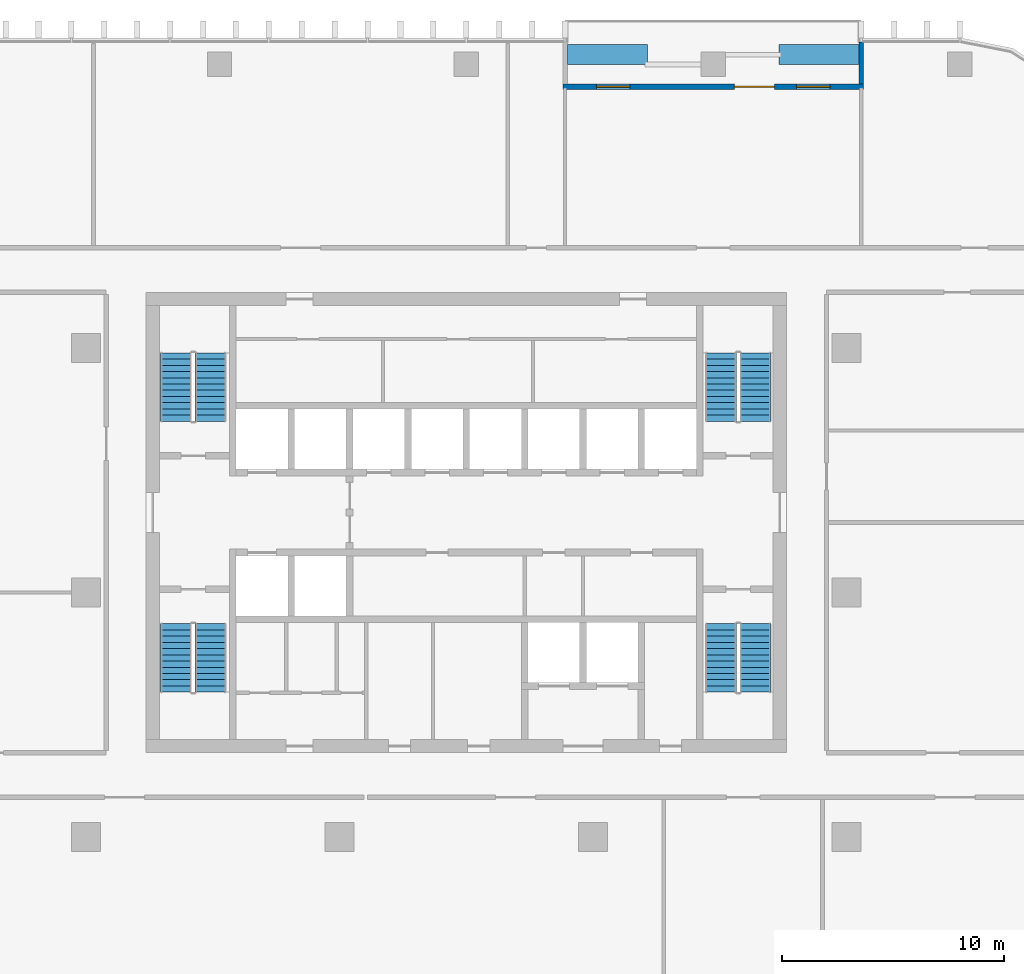
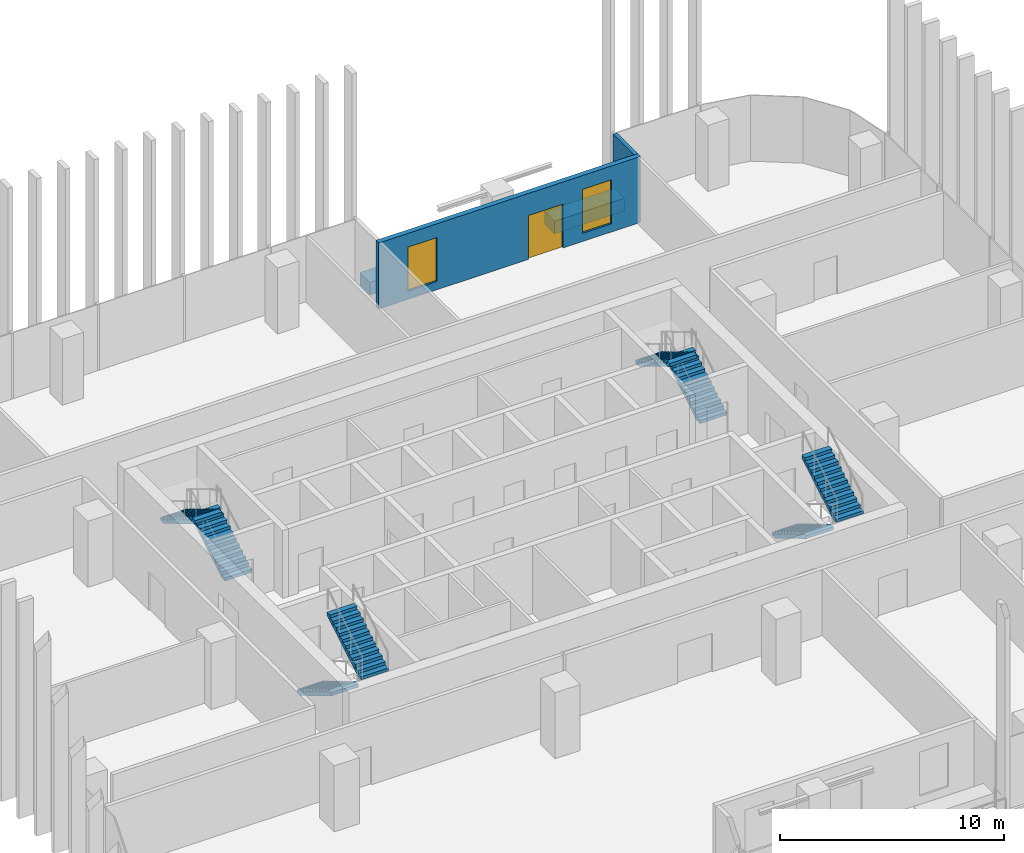
# One storey, part 10 of 16: 8 stair flights, 4 walls, 2 windows, 1 door, 3 openings, 4 elements without a shape of their own.
"""IFC4 building model written with IfcOpenShell, lengths in metres."""

import ifcopenshell
import ifcopenshell.guid

model = None  # the IFC model being written
_history = None  # IfcOwnerHistory: only IFC2X3 demands one
_inside = {}  # id of a spatial element -> (the spatial element, [elements in it])
_under = {}  # id of a project, library or spatial element -> (it, [spatial elements below it])
_declared = {}  # id of a project -> (the project, [libraries it declares])
_typed = {}  # id of a type object -> (the type object, [elements of that type])
_made_of = {}  # id of a material, layer set ... -> (it, [elements and type objects made of it])


def new_model(schema):
    """Start an empty IFC model of exactly this schema.

    Asked for "IFC4X3", IfcOpenShell would pick the latest addendum, in which some entities
    have other attributes; the version numbers below select the first issue.
    IFC2X3 requires an IfcOwnerHistory on every rooted entity: one is made here for all.
    """
    global model, _history
    if schema == "IFC4X3":
        model = ifcopenshell.file(schema_version=(4, 3, 0, 0))
    else:
        model = ifcopenshell.file(schema=schema)
    _inside.clear()
    _under.clear()
    _declared.clear()
    _typed.clear()
    _made_of.clear()
    _history = None
    if model.schema == "IFC2X3":
        org = make("IfcOrganization", Name="unknown")
        user = make(
            "IfcPersonAndOrganization",
            ThePerson=make("IfcPerson", FamilyName="unknown"),
            TheOrganization=org,
        )
        app = make(
            "IfcApplication",
            ApplicationDeveloper=org,
            Version="unknown",
            ApplicationFullName="unknown",
            ApplicationIdentifier="unknown",
        )
        _history = make(
            "IfcOwnerHistory",
            OwningUser=user,
            OwningApplication=app,
            ChangeAction="ADDED",
            CreationDate=0,
        )
    return model


def make(cls, **values):
    """One entity of the class cls with the attributes given. An attribute that is None is left unset."""
    return model.create_entity(
        cls, **{name: value for name, value in values.items() if value is not None}
    )


def rooted(cls, **values):
    """An entity with a GlobalId (a new one), such as an element, a storey or a relation."""
    return make(cls, GlobalId=ifcopenshell.guid.new(), OwnerHistory=_history, **values)


def si_unit(unit_type, name, prefix=None):
    """IfcSIUnit, for example si_unit("LENGTHUNIT", "METRE", prefix="MILLI")."""
    return make("IfcSIUnit", UnitType=unit_type, Prefix=prefix, Name=name)


def assignment(units):
    """IfcUnitAssignment: the units of a project."""
    return None if units is None else make("IfcUnitAssignment", Units=units)


def point(xyz):
    """IfcCartesianPoint."""
    return None if xyz is None else make("IfcCartesianPoint", Coordinates=xyz)


def direction(xyz):
    """IfcDirection."""
    return None if xyz is None else make("IfcDirection", DirectionRatios=xyz)


def frame(location, z_axis=None, x_axis=None):
    """IfcAxis2Placement3D, a coordinate frame: its origin and axes. An axis left out is left unset."""
    return make(
        "IfcAxis2Placement3D",
        Location=point(location),
        Axis=direction(z_axis),
        RefDirection=direction(x_axis),
    )


def frame_2d(location, x_axis=None):
    """IfcAxis2Placement2D, a coordinate frame in the plane: its origin and x axis."""
    return make(
        "IfcAxis2Placement2D", Location=point(location), RefDirection=direction(x_axis)
    )


def origin():
    """The frame at (0, 0, 0) with its axes left unset."""
    return frame((0.0, 0.0, 0.0))


def place(relative_to, where):
    """IfcLocalPlacement: puts the frame where relative to a parent placement (None: the world)."""
    return make(
        "IfcLocalPlacement", PlacementRelTo=relative_to, RelativePlacement=where
    )


def context(
    kind, dimensions, precision=None, world=None, true_north=None, identifier=None
):
    """IfcGeometricRepresentationContext, for example the 3D "Model" context."""
    return make(
        "IfcGeometricRepresentationContext",
        ContextIdentifier=identifier,
        ContextType=kind,
        CoordinateSpaceDimension=dimensions,
        Precision=precision,
        WorldCoordinateSystem=world,
        TrueNorth=true_north,
    )


def subcontext(parent, identifier, kind, view, scale=None):
    """IfcGeometricRepresentationSubContext, for example "Body" below "Model"."""
    return make(
        "IfcGeometricRepresentationSubContext",
        ContextIdentifier=identifier,
        ContextType=kind,
        ParentContext=parent,
        TargetScale=scale,
        TargetView=view,
    )


def project(units=None, contexts=None):
    """IfcProject with its units and contexts."""
    return rooted(
        "IfcProject",
        Name="project",
        RepresentationContexts=contexts,
        UnitsInContext=assignment(units),
    )


def spatial(cls, under=None, at=None, **own):
    """A site, building, storey or space (cls), placed at a placement, below another one or the project."""
    s = rooted(cls, ObjectPlacement=at, **own)
    if under is not None:
        _under.setdefault(under.id(), (under, []))[1].append(s)
    return s


def polyline(points):
    """IfcPolyline through the points."""
    return make("IfcPolyline", Points=[point(p) for p in points])


def profile(cls, at=None, kind="AREA", **sizes):
    """A parametric profile (cls). Its sizes go by their IFC names, for example OverallWidth=200.0."""
    return make(cls, ProfileType=kind, Position=at, **sizes)


def rectangle(**sizes):
    """IfcRectangleProfileDef."""
    return profile("IfcRectangleProfileDef", **sizes)


def outline(outer, holes=None, kind="AREA"):
    """IfcArbitraryClosedProfileDef: a profile drawn as a closed curve; with holes, ...WithVoids."""
    if holes is None:
        return make("IfcArbitraryClosedProfileDef", ProfileType=kind, OuterCurve=outer)
    return make(
        "IfcArbitraryProfileDefWithVoids",
        ProfileType=kind,
        OuterCurve=outer,
        InnerCurves=holes,
    )


def extrude(swept, where, along, depth):
    """IfcExtrudedAreaSolid: the profile swept, set in the frame where, extruded along a direction by depth."""
    return make(
        "IfcExtrudedAreaSolid",
        SweptArea=swept,
        Position=where,
        ExtrudedDirection=direction(along),
        Depth=depth,
    )


def shape(context_of_items, identifier, shape_type, items):
    """IfcShapeRepresentation: the items that make up one representation, for example the "Body"."""
    return make(
        "IfcShapeRepresentation",
        ContextOfItems=context_of_items,
        RepresentationIdentifier=identifier,
        RepresentationType=shape_type,
        Items=items,
    )


def material(Name=None, Category=None):
    """IfcMaterial."""
    return make("IfcMaterial", Name=Name, Category=Category)


def layer(
    of_material, thickness, ventilated=None, Name=None, Category=None, Priority=None
):
    """IfcMaterialLayer: one layer of a wall or slab, of a material (None: an air gap)."""
    return make(
        "IfcMaterialLayer",
        Material=of_material,
        LayerThickness=thickness,
        IsVentilated=ventilated,
        Name=Name,
        Category=Category,
        Priority=Priority,
    )


def layer_set(layers, Name=None):
    """IfcMaterialLayerSet."""
    return make("IfcMaterialLayerSet", MaterialLayers=layers, LayerSetName=Name)


def made_of(thing, what):
    """Note that an element or type object is made of a material, layer set ...; save() writes the relation."""
    if what is not None:
        _made_of.setdefault(what.id(), (what, []))[1].append(thing)
    return thing


def type_object(cls, material=None, **own):
    """A type object (cls), such as IfcWallType, which elements share."""
    return made_of(rooted(cls, **own), material)


def element(
    cls,
    number,
    at=None,
    inside=None,
    cuts=None,
    type_object=None,
    material=None,
    context=None,
    identifier="Body",
    shape_type=None,
    held_by="IfcProductDefinitionShape",
    body=None,
    shapes=None,
    **own,
):
    """One element of the class cls, such as IfcWall. Its Tag is "e" and its number.

    at: its placement. inside: the storey or other place that contains it. cuts: it is an
    opening in that element (IfcRelVoidsElement). A single representation is given by context,
    identifier, shape_type and body (its items); several are given by shapes. held_by: the class
    of the entity that holds the representations. save() writes the other relations.
    """
    e = rooted(cls, Tag="e%d" % number, ObjectPlacement=at, **own)
    if body is not None:
        shapes = [shape(context, identifier, shape_type, body)]
    if shapes is not None:
        e.Representation = make(held_by, Representations=shapes)
    if inside is not None:
        _inside.setdefault(inside.id(), (inside, []))[1].append(e)
    if cuts is not None:
        rooted(
            "IfcRelVoidsElement", RelatingBuildingElement=cuts, RelatedOpeningElement=e
        )
    if type_object is not None:
        _typed.setdefault(type_object.id(), (type_object, []))[1].append(e)
    return made_of(e, material)


def fill(opening, filler):
    """IfcRelFillsElement: the door or window that sits in an opening."""
    return rooted(
        "IfcRelFillsElement",
        RelatingOpeningElement=opening,
        RelatedBuildingElement=filler,
    )


def aggregate(whole, parts):
    """IfcRelAggregates: a whole, such as a stair, and the parts it consists of."""
    return rooted("IfcRelAggregates", RelatingObject=whole, RelatedObjects=parts)


def save(model, path):
    """Write the relations noted so far, then the file.

    IfcRelAggregates (storeys below a building ...), IfcRelContainedInSpatialStructure (elements
    in a storey), IfcRelDefinesByType, IfcRelAssociatesMaterial and IfcRelDeclares: one each for
    every whole, place, type object, material and project.
    """
    for whole, parts in _under.values():
        aggregate(whole, parts)
    for where, things in _inside.values():
        rooted(
            "IfcRelContainedInSpatialStructure",
            RelatedElements=things,
            RelatingStructure=where,
        )
    for kind, things in _typed.values():
        rooted("IfcRelDefinesByType", RelatedObjects=things, RelatingType=kind)
    for what, things in _made_of.values():
        rooted("IfcRelAssociatesMaterial", RelatedObjects=things, RelatingMaterial=what)
    for by, libraries in _declared.values():
        rooted("IfcRelDeclares", RelatingContext=by, RelatedDefinitions=libraries)
    model.write(path)


model = new_model("IFC4")

# Units and contexts
model_context = context("Model", 3, precision=1e-05, world=origin(), true_north=direction((0.0, 1.0)))
body_context = subcontext(model_context, "Body", "Model", "MODEL_VIEW")
ifc_project = project(units=[si_unit("LENGTHUNIT", "METRE"), si_unit("AREAUNIT", "SQUARE_METRE"), si_unit("VOLUMEUNIT", "CUBIC_METRE"), si_unit("PLANEANGLEUNIT", "RADIAN"), si_unit("MASSUNIT", "GRAM", prefix="KILO")], contexts=[model_context])

# Site, building, storey
site_placement = place(None, origin())
site = spatial("IfcSite", under=ifc_project, at=site_placement, CompositionType="ELEMENT")
building_placement = place(site_placement, origin())
building = spatial("IfcBuilding", under=site, at=building_placement, Name="Mopane Tessera Tower", CompositionType="ELEMENT")
storey_placement = place(building_placement, frame((0.0, 0.0, 247.0)))
storey = spatial("IfcBuildingStorey", under=building, at=storey_placement, Name="L53", CompositionType="ELEMENT", Elevation=247.0)

# Walls
ifc_material_1 = material(Name="Reinforced concrete C32/40 with waterproofing", Category="concrete")
ifc_layer_1 = layer(ifc_material_1, 0.89990234375)
ifc_layer_set_1 = layer_set([ifc_layer_1], Name="Reinforced concrete C32/40 with waterproofing")
wall_type_1 = type_object("IfcWallType", Name="Planter trough 3600 x 900", PredefinedType="STANDARD", material=ifc_layer_set_1)
for number, where, z_axis, x_axis, name in (
    (1, (17.659912109375, 24.199951171875, 0.0), (0.0, 0.0, 1.0), (-1.0, 0.0, 0.0), "e:nw:L53:N2:pl0"),
    (2, (8.139892578125, 24.199951171875, 0.0), (0.0, 0.0, 1.0), (-1.0, 0.0, 0.0), "e:nw:L53:N2:pl1"),
):
    element("IfcWall", number, at=place(storey_placement, frame(where, z_axis=z_axis, x_axis=x_axis)), inside=storey, type_object=wall_type_1, Name=name, PredefinedType="STANDARD", context=body_context, shape_type="SweptSolid", body=[
        extrude(rectangle(XDim=3.599853515625, YDim=0.89990234375, at=frame_2d((1.7998046875, 0.0))), origin(), (0.0, 0.0, 1.0), 0.699951171875),
    ])
ifc_material_2 = material(Name="Blockwork with glazed tile facing", Category="masonry")
ifc_layer_2 = layer(ifc_material_2, 0.199951171875)
ifc_layer_set_2 = layer_set([ifc_layer_2], Name="Blockwork with glazed tile facing")
wall_type_2 = type_object("IfcWallType", Name="Terrace cheek wall 200", PredefinedType="STANDARD", material=ifc_layer_set_2)
wall_1_placement = place(storey_placement, frame((17.760009765625, 24.75, 0.0), z_axis=(0.0, 0.0, 1.0), x_axis=(0.0, -1.0, 0.0)))
element("IfcWall", 3, at=wall_1_placement, inside=storey, type_object=wall_type_2, Name="e:nw:L53:N2:cheeka", PredefinedType="STANDARD", context=body_context, shape_type="SweptSolid", body=[
    extrude(rectangle(XDim=1.875, YDim=0.199951171875, at=frame_2d((0.9375, 0.0))), origin(), (0.0, 0.0, 1.0), 3.60009765625),
])

# Wall, openings, windows, door
ifc_material_3 = material(Name="Blockwork with ochre glazed tile facing", Category="masonry")
ifc_layer_3 = layer(ifc_material_3, 0.25)
ifc_layer_set_3 = layer_set([ifc_layer_3], Name="Blockwork with ochre glazed tile facing")
wall_type_3 = type_object("IfcWallType", Name="Tile-clad external wall 250, ochre", PredefinedType="STANDARD", material=ifc_layer_set_3)
wall_2_placement = place(storey_placement, frame((17.860107421875, 22.75, 0.0), z_axis=(0.0, 0.0, 1.0), x_axis=(-1.0, 0.0, 0.0)))
wall_2 = element("IfcWall", 4, at=wall_2_placement, inside=storey, type_object=wall_type_3, Name="e:nw:L53:N2:back", PredefinedType="STANDARD", context=body_context, shape_type="SweptSolid", body=[
    extrude(rectangle(XDim=13.52001953125, YDim=0.25, at=frame_2d((6.760009765625, 0.0))), origin(), (0.0, 0.0, 1.0), 3.60009765625),
])
opening_1_placement = place(wall_2_placement, frame((1.5, 0.0, 0.449951171875)))
opening_1 = element("IfcOpeningElement", 5, at=opening_1_placement, cuts=wall_2, Name="Opening NW532A", PredefinedType="OPENING", context=body_context, shape_type="SweptSolid", body=[
    extrude(rectangle(XDim=1.5, YDim=2.39990234375, at=frame_2d((0.75, 1.199951171875))), frame((0.0, 0.136962890625, 0.0), z_axis=(0.0, -1.0, 0.0), x_axis=(1.0, 0.0, 0.0)), (0.0, 0.0, 1.0), 0.27392578125),
])
opening_2_placement = place(wall_2_placement, frame((4.0, 0.0, 0.0)))
opening_2 = element("IfcOpeningElement", 6, at=opening_2_placement, cuts=wall_2, Name="Opening ND532", PredefinedType="OPENING", context=body_context, shape_type="SweptSolid", body=[
    extrude(rectangle(XDim=1.800048828125, YDim=2.39990234375, at=frame_2d((0.89990234375, 1.199951171875))), frame((0.0, 0.136962890625, 0.0), z_axis=(0.0, -1.0, 0.0), x_axis=(1.0, 0.0, 0.0)), (0.0, 0.0, 1.0), 0.27392578125),
])
opening_3_placement = place(wall_2_placement, frame((10.5, 0.0, 0.449951171875)))
opening_3 = element("IfcOpeningElement", 7, at=opening_3_placement, cuts=wall_2, Name="Opening NW532B", PredefinedType="OPENING", context=body_context, shape_type="SweptSolid", body=[
    extrude(rectangle(XDim=1.5, YDim=2.39990234375, at=frame_2d((0.75, 1.199951171875))), frame((0.0, 0.136962890625, 0.0), z_axis=(0.0, -1.0, 0.0), x_axis=(1.0, 0.0, 0.0)), (0.0, 0.0, 1.0), 0.27392578125),
])
ifc_material_4 = material(Name="Clear laminated glass", Category="glass")
window_type = type_object("IfcWindowType", Name="Fixed window 1500 x 2400", PartitioningType="SINGLE_PANEL", PredefinedType="WINDOW", material=ifc_material_4)
window_1_placement = place(opening_1_placement, origin())
window_1 = element("IfcWindow", 8, at=window_1_placement, inside=storey, type_object=window_type, Name="e:nw:L53:N2:win0", OverallHeight=2.39990234375, OverallWidth=1.5, PartitioningType="SINGLE_PANEL", PredefinedType="WINDOW", context=body_context, shape_type="SweptSolid", body=[
    extrude(rectangle(XDim=1.5, YDim=2.39990234375, at=frame_2d((0.75, 1.199951171875))), frame((0.0, 0.030029296875, 0.0), z_axis=(0.0, -1.0, 0.0), x_axis=(1.0, 0.0, 0.0)), (0.0, 0.0, 1.0), 0.06005859375),
])
fill(opening_1, window_1)
window_2_placement = place(opening_3_placement, origin())
window_2 = element("IfcWindow", 9, at=window_2_placement, inside=storey, type_object=window_type, Name="e:nw:L53:N2:win2", OverallHeight=2.39990234375, OverallWidth=1.5, PartitioningType="SINGLE_PANEL", PredefinedType="WINDOW", context=body_context, shape_type="SweptSolid", body=[
    extrude(rectangle(XDim=1.5, YDim=2.39990234375, at=frame_2d((0.75, 1.199951171875))), frame((0.0, 0.030029296875, 0.0), z_axis=(0.0, -1.0, 0.0), x_axis=(1.0, 0.0, 0.0)), (0.0, 0.0, 1.0), 0.06005859375),
])
fill(opening_3, window_2)
ifc_material_5 = material(Name="Aluminium and clear glass", Category="aluminium")
door_type = type_object("IfcDoorType", Name="Terrace double door 1800 x 2400", OperationType="DOUBLE_DOOR_SINGLE_SWING", PredefinedType="DOOR", material=ifc_material_5)
door_placement = place(opening_2_placement, origin())
door = element("IfcDoor", 10, at=door_placement, inside=storey, type_object=door_type, Name="e:nw:L53:N2:door", ObjectType="D1", OperationType="DOUBLE_DOOR_SINGLE_SWING", OverallHeight=2.39990234375, OverallWidth=1.800048828125, PredefinedType="DOOR", context=body_context, shape_type="SweptSolid", body=[
    extrude(rectangle(XDim=1.800048828125, YDim=2.39990234375, at=frame_2d((0.89990234375, 1.199951171875))), frame((0.0, 0.02490234375, 0.0), z_axis=(0.0, -1.0, 0.0), x_axis=(1.0, 0.0, 0.0)), (0.0, 0.0, 1.0), 0.050048828125),
])
fill(opening_2, door)

# Stair, stair flights
ifc_material_6 = material(Name="Concrete C50/60", Category="concrete")
stair_type = type_object("IfcStairType", Name="Escape stair 1400 mm, riser 167 mm", PredefinedType="HALF_TURN_STAIR", material=ifc_material_6)
stair_1_placement = place(storey_placement, origin())
stair_1 = element("IfcStair", 11, at=stair_1_placement, inside=storey, type_object=stair_type, Name="L53 Escape stair south-west", PredefinedType="HALF_TURN_STAIR")
ifc_material_7 = material(Name="Concrete C50/60", Category="concrete")
stair_flight_type = type_object("IfcStairFlightType", Name="Escape stair flight 1400 mm", PredefinedType="STRAIGHT", material=ifc_material_7)
stair_flight_1_placement = place(storey_placement, frame((-13.050048828125, -1.39990234375, 0.0), z_axis=(0.0, 0.0, 1.0), x_axis=(0.0, -1.0, 0.0)))
stair_flight_1 = element("IfcStairFlight", 12, at=stair_flight_1_placement, type_object=stair_flight_type, Name="ST1 flight 1", NumberOfRisers=12, NumberOfTreads=11, PredefinedType="STRAIGHT", RiserHeight=0.166666667, TreadLength=0.28, context=body_context, shape_type="SweptSolid", body=[
    extrude(outline(polyline([(0.0, 0.0), (0.0, 0.166748046875), (0.280029296875, 0.166748046875), (0.280029296875, 0.333251953125), (0.56005859375, 0.333251953125), (0.56005859375, 0.5), (0.840087890625, 0.5), (0.840087890625, 0.666748046875), (1.1201171875, 0.666748046875), (1.1201171875, 0.833251953125), (1.39990234375, 0.833251953125), (1.39990234375, 1.0), (1.679931640625, 1.0), (1.679931640625, 1.166748046875), (1.9599609375, 1.166748046875), (1.9599609375, 1.333251953125), (2.239990234375, 1.333251953125), (2.239990234375, 1.5), (2.52001953125, 1.5), (2.52001953125, 1.666748046875), (2.800048828125, 1.666748046875), (2.800048828125, 1.833251953125), (3.080078125, 1.833251953125), (3.080078125, 2.0), (3.080078125, 1.658935546875), (0.29296875, 0.0), (0.0, 0.0)])), frame((0.0, 0.699951171875, 0.0), z_axis=(0.0, -1.0, 0.0), x_axis=(1.0, 0.0, 0.0)), (0.0, 0.0, 1.0), 1.39990234375),
])
stair_flight_2_placement = place(storey_placement, frame((-11.5, -4.47998046875, 2.0), z_axis=(0.0, 0.0, 1.0), x_axis=(0.0, 1.0, 0.0)))
stair_flight_2 = element("IfcStairFlight", 13, at=stair_flight_2_placement, type_object=stair_flight_type, Name="ST1 flight 2", NumberOfRisers=12, NumberOfTreads=11, PredefinedType="STRAIGHT", RiserHeight=0.166666667, TreadLength=0.28, context=body_context, shape_type="SweptSolid", body=[
    extrude(outline(polyline([(0.0, 0.0), (0.0, 0.166748046875), (0.280029296875, 0.166748046875), (0.280029296875, 0.333251953125), (0.56005859375, 0.333251953125), (0.56005859375, 0.5), (0.840087890625, 0.5), (0.840087890625, 0.666748046875), (1.1201171875, 0.666748046875), (1.1201171875, 0.833251953125), (1.39990234375, 0.833251953125), (1.39990234375, 1.0), (1.679931640625, 1.0), (1.679931640625, 1.166748046875), (1.9599609375, 1.166748046875), (1.9599609375, 1.333251953125), (2.239990234375, 1.333251953125), (2.239990234375, 1.5), (2.52001953125, 1.5), (2.52001953125, 1.666748046875), (2.800048828125, 1.666748046875), (2.800048828125, 1.833251953125), (3.080078125, 1.833251953125), (3.080078125, 2.0), (3.080078125, 1.658935546875), (0.29296875, 0.0), (0.0, 0.0)])), frame((0.0, 0.699951171875, 0.0), z_axis=(0.0, -1.0, 0.0), x_axis=(1.0, 0.0, 0.0)), (0.0, 0.0, 1.0), 1.39990234375),
])
aggregate(stair_1, [stair_flight_1, stair_flight_2])

stair_2_placement = place(storey_placement, origin())
stair_2 = element("IfcStair", 14, at=stair_2_placement, inside=storey, type_object=stair_type, Name="L53 Escape stair north-west", PredefinedType="HALF_TURN_STAIR")
stair_flight_3_placement = place(storey_placement, frame((-11.5, 7.699951171875, 0.0), z_axis=(0.0, 0.0, 1.0), x_axis=(0.0, 1.0, 0.0)))
stair_flight_3 = element("IfcStairFlight", 15, at=stair_flight_3_placement, type_object=stair_flight_type, Name="ST2 flight 1", NumberOfRisers=12, NumberOfTreads=11, PredefinedType="STRAIGHT", RiserHeight=0.166666667, TreadLength=0.28, context=body_context, shape_type="SweptSolid", body=[
    extrude(outline(polyline([(0.0, 0.0), (0.0, 0.166748046875), (0.280029296875, 0.166748046875), (0.280029296875, 0.333251953125), (0.56005859375, 0.333251953125), (0.56005859375, 0.5), (0.840087890625, 0.5), (0.840087890625, 0.666748046875), (1.1201171875, 0.666748046875), (1.1201171875, 0.833251953125), (1.39990234375, 0.833251953125), (1.39990234375, 1.0), (1.679931640625, 1.0), (1.679931640625, 1.166748046875), (1.9599609375, 1.166748046875), (1.9599609375, 1.333251953125), (2.239990234375, 1.333251953125), (2.239990234375, 1.5), (2.52001953125, 1.5), (2.52001953125, 1.666748046875), (2.800048828125, 1.666748046875), (2.800048828125, 1.833251953125), (3.080078125, 1.833251953125), (3.080078125, 2.0), (3.080078125, 1.658935546875), (0.29296875, 0.0), (0.0, 0.0)])), frame((0.0, 0.699951171875, 0.0), z_axis=(0.0, -1.0, 0.0), x_axis=(1.0, 0.0, 0.0)), (0.0, 0.0, 1.0), 1.39990234375),
])
stair_flight_4_placement = place(storey_placement, frame((-13.050048828125, 10.780029296875, 2.0), z_axis=(0.0, 0.0, 1.0), x_axis=(0.0, -1.0, 0.0)))
stair_flight_4 = element("IfcStairFlight", 16, at=stair_flight_4_placement, type_object=stair_flight_type, Name="ST2 flight 2", NumberOfRisers=12, NumberOfTreads=11, PredefinedType="STRAIGHT", RiserHeight=0.166666667, TreadLength=0.28, context=body_context, shape_type="SweptSolid", body=[
    extrude(outline(polyline([(0.0, 0.0), (0.0, 0.166748046875), (0.280029296875, 0.166748046875), (0.280029296875, 0.333251953125), (0.56005859375, 0.333251953125), (0.56005859375, 0.5), (0.840087890625, 0.5), (0.840087890625, 0.666748046875), (1.1201171875, 0.666748046875), (1.1201171875, 0.833251953125), (1.39990234375, 0.833251953125), (1.39990234375, 1.0), (1.679931640625, 1.0), (1.679931640625, 1.166748046875), (1.9599609375, 1.166748046875), (1.9599609375, 1.333251953125), (2.239990234375, 1.333251953125), (2.239990234375, 1.5), (2.52001953125, 1.5), (2.52001953125, 1.666748046875), (2.800048828125, 1.666748046875), (2.800048828125, 1.833251953125), (3.080078125, 1.833251953125), (3.080078125, 2.0), (3.080078125, 1.658935546875), (0.29296875, 0.0), (0.0, 0.0)])), frame((0.0, 0.699951171875, 0.0), z_axis=(0.0, -1.0, 0.0), x_axis=(1.0, 0.0, 0.0)), (0.0, 0.0, 1.0), 1.39990234375),
])
aggregate(stair_2, [stair_flight_3, stair_flight_4])

stair_3_placement = place(storey_placement, origin())
stair_3 = element("IfcStair", 17, at=stair_3_placement, inside=storey, type_object=stair_type, Name="L53 Escape stair south-east", PredefinedType="HALF_TURN_STAIR")
stair_flight_5_placement = place(storey_placement, frame((11.449951171875, -1.39990234375, 0.0), z_axis=(0.0, 0.0, 1.0), x_axis=(0.0, -1.0, 0.0)))
stair_flight_5 = element("IfcStairFlight", 18, at=stair_flight_5_placement, type_object=stair_flight_type, Name="ST3 flight 1", NumberOfRisers=12, NumberOfTreads=11, PredefinedType="STRAIGHT", RiserHeight=0.166666667, TreadLength=0.28, context=body_context, shape_type="SweptSolid", body=[
    extrude(outline(polyline([(0.0, 0.0), (0.0, 0.166748046875), (0.280029296875, 0.166748046875), (0.280029296875, 0.333251953125), (0.56005859375, 0.333251953125), (0.56005859375, 0.5), (0.840087890625, 0.5), (0.840087890625, 0.666748046875), (1.1201171875, 0.666748046875), (1.1201171875, 0.833251953125), (1.39990234375, 0.833251953125), (1.39990234375, 1.0), (1.679931640625, 1.0), (1.679931640625, 1.166748046875), (1.9599609375, 1.166748046875), (1.9599609375, 1.333251953125), (2.239990234375, 1.333251953125), (2.239990234375, 1.5), (2.52001953125, 1.5), (2.52001953125, 1.666748046875), (2.800048828125, 1.666748046875), (2.800048828125, 1.833251953125), (3.080078125, 1.833251953125), (3.080078125, 2.0), (3.080078125, 1.658935546875), (0.29296875, 0.0), (0.0, 0.0)])), frame((0.0, 0.699951171875, 0.0), z_axis=(0.0, -1.0, 0.0), x_axis=(1.0, 0.0, 0.0)), (0.0, 0.0, 1.0), 1.39990234375),
])
stair_flight_6_placement = place(storey_placement, frame((13.0, -4.47998046875, 2.0), z_axis=(0.0, 0.0, 1.0), x_axis=(0.0, 1.0, 0.0)))
stair_flight_6 = element("IfcStairFlight", 19, at=stair_flight_6_placement, type_object=stair_flight_type, Name="ST3 flight 2", NumberOfRisers=12, NumberOfTreads=11, PredefinedType="STRAIGHT", RiserHeight=0.166666667, TreadLength=0.28, context=body_context, shape_type="SweptSolid", body=[
    extrude(outline(polyline([(0.0, 0.0), (0.0, 0.166748046875), (0.280029296875, 0.166748046875), (0.280029296875, 0.333251953125), (0.56005859375, 0.333251953125), (0.56005859375, 0.5), (0.840087890625, 0.5), (0.840087890625, 0.666748046875), (1.1201171875, 0.666748046875), (1.1201171875, 0.833251953125), (1.39990234375, 0.833251953125), (1.39990234375, 1.0), (1.679931640625, 1.0), (1.679931640625, 1.166748046875), (1.9599609375, 1.166748046875), (1.9599609375, 1.333251953125), (2.239990234375, 1.333251953125), (2.239990234375, 1.5), (2.52001953125, 1.5), (2.52001953125, 1.666748046875), (2.800048828125, 1.666748046875), (2.800048828125, 1.833251953125), (3.080078125, 1.833251953125), (3.080078125, 2.0), (3.080078125, 1.658935546875), (0.29296875, 0.0), (0.0, 0.0)])), frame((0.0, 0.699951171875, 0.0), z_axis=(0.0, -1.0, 0.0), x_axis=(1.0, 0.0, 0.0)), (0.0, 0.0, 1.0), 1.39990234375),
])
aggregate(stair_3, [stair_flight_5, stair_flight_6])

stair_4_placement = place(storey_placement, origin())
stair_4 = element("IfcStair", 20, at=stair_4_placement, inside=storey, type_object=stair_type, Name="L53 Escape stair north-east", PredefinedType="HALF_TURN_STAIR")
stair_flight_7_placement = place(storey_placement, frame((13.0, 7.699951171875, 0.0), z_axis=(0.0, 0.0, 1.0), x_axis=(0.0, 1.0, 0.0)))
stair_flight_7 = element("IfcStairFlight", 21, at=stair_flight_7_placement, type_object=stair_flight_type, Name="ST4 flight 1", NumberOfRisers=12, NumberOfTreads=11, PredefinedType="STRAIGHT", RiserHeight=0.166666667, TreadLength=0.28, context=body_context, shape_type="SweptSolid", body=[
    extrude(outline(polyline([(0.0, 0.0), (0.0, 0.166748046875), (0.280029296875, 0.166748046875), (0.280029296875, 0.333251953125), (0.56005859375, 0.333251953125), (0.56005859375, 0.5), (0.840087890625, 0.5), (0.840087890625, 0.666748046875), (1.1201171875, 0.666748046875), (1.1201171875, 0.833251953125), (1.39990234375, 0.833251953125), (1.39990234375, 1.0), (1.679931640625, 1.0), (1.679931640625, 1.166748046875), (1.9599609375, 1.166748046875), (1.9599609375, 1.333251953125), (2.239990234375, 1.333251953125), (2.239990234375, 1.5), (2.52001953125, 1.5), (2.52001953125, 1.666748046875), (2.800048828125, 1.666748046875), (2.800048828125, 1.833251953125), (3.080078125, 1.833251953125), (3.080078125, 2.0), (3.080078125, 1.658935546875), (0.29296875, 0.0), (0.0, 0.0)])), frame((0.0, 0.699951171875, 0.0), z_axis=(0.0, -1.0, 0.0), x_axis=(1.0, 0.0, 0.0)), (0.0, 0.0, 1.0), 1.39990234375),
])
stair_flight_8_placement = place(storey_placement, frame((11.449951171875, 10.780029296875, 2.0), z_axis=(0.0, 0.0, 1.0), x_axis=(0.0, -1.0, 0.0)))
stair_flight_8 = element("IfcStairFlight", 22, at=stair_flight_8_placement, type_object=stair_flight_type, Name="ST4 flight 2", NumberOfRisers=12, NumberOfTreads=11, PredefinedType="STRAIGHT", RiserHeight=0.166666667, TreadLength=0.28, context=body_context, shape_type="SweptSolid", body=[
    extrude(outline(polyline([(0.0, 0.0), (0.0, 0.166748046875), (0.280029296875, 0.166748046875), (0.280029296875, 0.333251953125), (0.56005859375, 0.333251953125), (0.56005859375, 0.5), (0.840087890625, 0.5), (0.840087890625, 0.666748046875), (1.1201171875, 0.666748046875), (1.1201171875, 0.833251953125), (1.39990234375, 0.833251953125), (1.39990234375, 1.0), (1.679931640625, 1.0), (1.679931640625, 1.166748046875), (1.9599609375, 1.166748046875), (1.9599609375, 1.333251953125), (2.239990234375, 1.333251953125), (2.239990234375, 1.5), (2.52001953125, 1.5), (2.52001953125, 1.666748046875), (2.800048828125, 1.666748046875), (2.800048828125, 1.833251953125), (3.080078125, 1.833251953125), (3.080078125, 2.0), (3.080078125, 1.658935546875), (0.29296875, 0.0), (0.0, 0.0)])), frame((0.0, 0.699951171875, 0.0), z_axis=(0.0, -1.0, 0.0), x_axis=(1.0, 0.0, 0.0)), (0.0, 0.0, 1.0), 1.39990234375),
])
aggregate(stair_4, [stair_flight_7, stair_flight_8])

save(model, "model.ifc")
